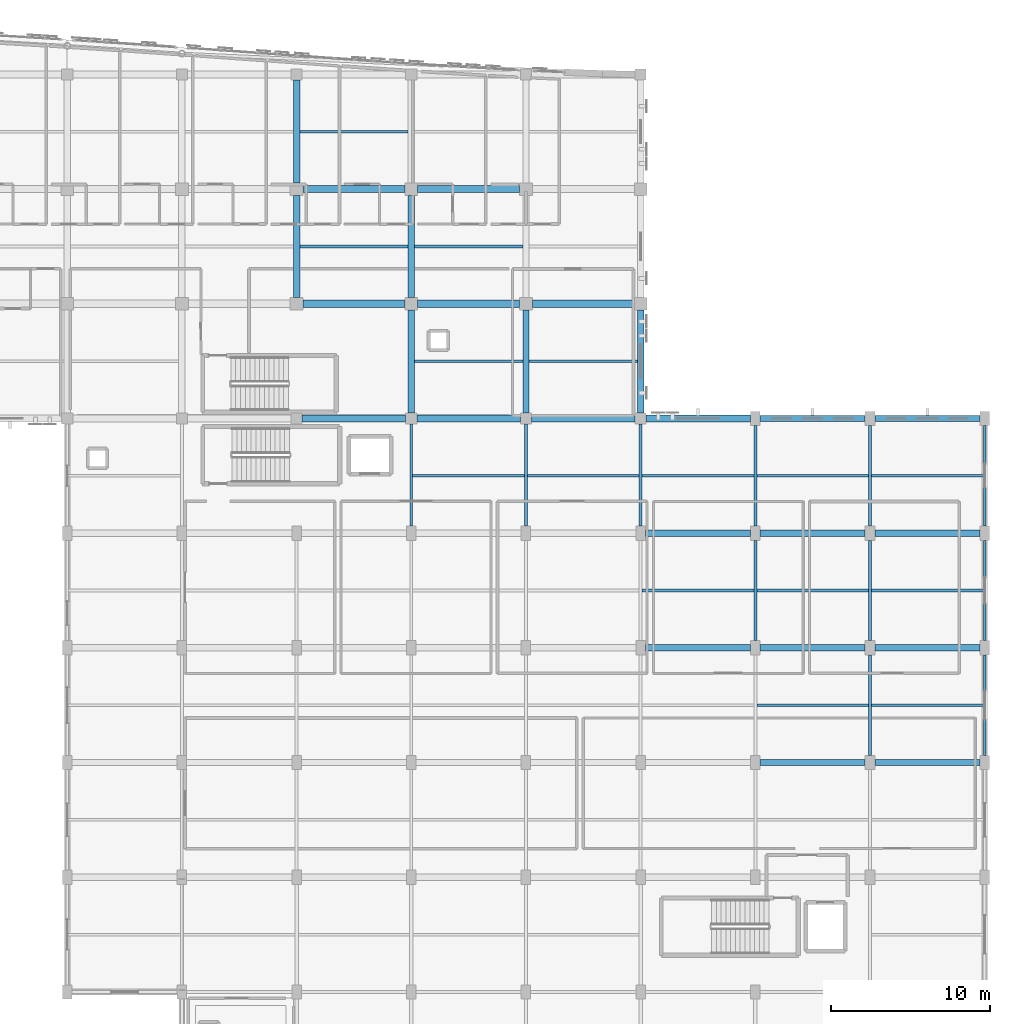
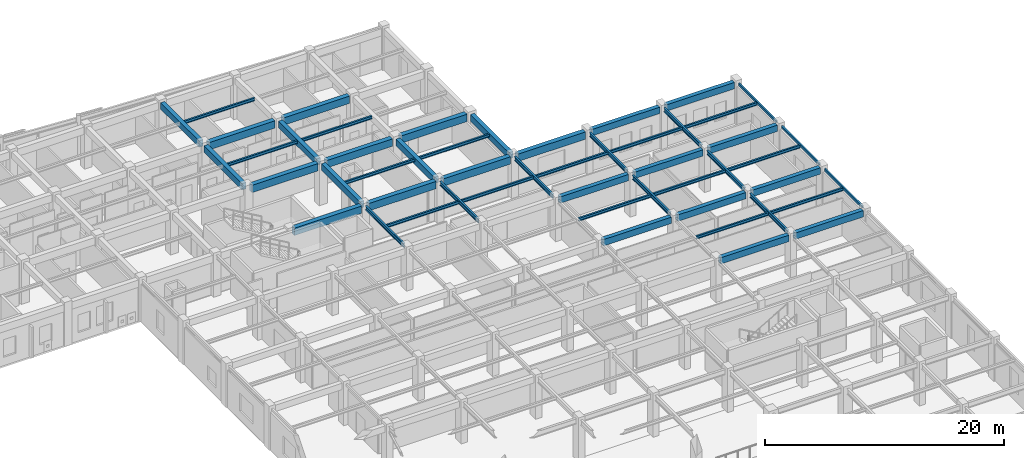
# One storey, part 52 of 106: 51 beams.
"""IFC4 building model written with IfcOpenShell, lengths in metres."""

from ifc_helpers import new_model, si_unit, direction, frame, origin, origin_2d, place, context, subcontext, project, spatial, rectangle, hollow_rectangle, i_section, extrude, material, material_profile, profile_set, type_object, element, save


model = new_model("IFC4")

# Units and contexts
model_context = context("Model", 3, precision=1e-05, world=origin(), true_north=direction((0.0, 1.0)))
body_context = subcontext(model_context, "Body", "Model", "MODEL_VIEW")
ifc_project = project(units=[si_unit("LENGTHUNIT", "METRE"), si_unit("AREAUNIT", "SQUARE_METRE"), si_unit("VOLUMEUNIT", "CUBIC_METRE"), si_unit("PLANEANGLEUNIT", "RADIAN"), si_unit("MASSUNIT", "GRAM", prefix="KILO")], contexts=[model_context])

# Site, building, storey
site_placement = place(None, origin())
site = spatial("IfcSite", under=ifc_project, at=site_placement, CompositionType="ELEMENT")
building_placement = place(site_placement, origin())
building = spatial("IfcBuilding", under=site, at=building_placement, Name="Carrowvane Square Congress Hotel", CompositionType="ELEMENT")
storey_placement = place(building_placement, frame((0.0, 0.0, 10.5)))
storey = spatial("IfcBuildingStorey", under=building, at=storey_placement, Name="L02", CompositionType="ELEMENT", Elevation=10.5)

# Beams
ifc_material_1 = material(Name="Concrete C35/45", Category="concrete")
ifc_material_profile_1 = material_profile(ifc_material_1, rectangle(XDim=0.39990234375, YDim=0.64990234375, at=origin_2d()), Name="RC 400x650")
ifc_profile_set_1 = profile_set([ifc_material_profile_1], Name="Concrete C35/45")
beam_type_1 = type_object("IfcBeamType", Name="BM-RC-400x650", PredefinedType="BEAM", material=ifc_profile_set_1)
beam_1_placement = place(storey_placement, frame((170.300048828125, 70.199951171875, 3.89501953125), z_axis=(1.0, 0.0, 0.0), x_axis=(0.0, 1.0, 0.0)))
element("IfcBeam", 1, at=beam_1_placement, inside=storey, type_object=beam_type_1, Name="L03 girder K/23-24", PredefinedType="BEAM", context=body_context, shape_type="SweptSolid", body=[
    extrude(rectangle(XDim=0.39990234375, YDim=0.64990234375, at=origin_2d()), origin(), (0.0, 0.0, 1.0), 6.599853515625),
])
beam_2_placement = place(storey_placement, frame((177.5, 70.199951171875, 3.89501953125), z_axis=(1.0, 0.0, 0.0), x_axis=(0.0, 1.0, 0.0)))
element("IfcBeam", 2, at=beam_2_placement, inside=storey, type_object=beam_type_1, Name="L03 girder K/24-25", PredefinedType="BEAM", context=body_context, shape_type="SweptSolid", body=[
    extrude(rectangle(XDim=0.39990234375, YDim=0.64990234375, at=origin_2d()), origin(), (0.0, 0.0, 1.0), 6.60009765625),
])
for number, where, z_axis, x_axis, name in (
    (3, (163.10009765625, 77.39990234375, 3.89501953125), (1.0, 0.0, 0.0), (0.0, 1.0, 0.0), "L03 girder L/22-23"),
    (4, (170.300048828125, 77.39990234375, 3.89501953125), (1.0, 0.0, 0.0), (0.0, 1.0, 0.0), "L03 girder L/23-24"),
):
    element("IfcBeam", number, at=place(storey_placement, frame(where, z_axis=z_axis, x_axis=x_axis)), inside=storey, type_object=beam_type_1, Name=name, PredefinedType="BEAM", context=body_context, shape_type="SweptSolid", body=[
        extrude(rectangle(XDim=0.39990234375, YDim=0.64990234375, at=origin_2d()), origin(), (0.0, 0.0, 1.0), 6.599853515625),
    ])
beam_3_placement = place(storey_placement, frame((177.5, 77.39990234375, 3.89501953125), z_axis=(1.0, 0.0, 0.0), x_axis=(0.0, 1.0, 0.0)))
element("IfcBeam", 5, at=beam_3_placement, inside=storey, type_object=beam_type_1, Name="L03 girder L/24-25", PredefinedType="BEAM", context=body_context, shape_type="SweptSolid", body=[
    extrude(rectangle(XDim=0.39990234375, YDim=0.64990234375, at=origin_2d()), origin(), (0.0, 0.0, 1.0), 6.60009765625),
])
for number, where, z_axis, x_axis, name in (
    (6, (163.10009765625, 84.60009765625, 3.89501953125), (1.0, 0.0, 0.0), (0.0, 1.0, 0.0), "L03 girder M/22-23"),
    (7, (170.300048828125, 84.60009765625, 3.89501953125), (1.0, 0.0, 0.0), (0.0, 1.0, 0.0), "L03 girder M/23-24"),
):
    element("IfcBeam", number, at=place(storey_placement, frame(where, z_axis=z_axis, x_axis=x_axis)), inside=storey, type_object=beam_type_1, Name=name, PredefinedType="BEAM", context=body_context, shape_type="SweptSolid", body=[
        extrude(rectangle(XDim=0.39990234375, YDim=0.64990234375, at=origin_2d()), origin(), (0.0, 0.0, 1.0), 6.599853515625),
    ])
beam_4_placement = place(storey_placement, frame((177.5, 84.60009765625, 3.89501953125), z_axis=(1.0, 0.0, 0.0), x_axis=(0.0, 1.0, 0.0)))
element("IfcBeam", 8, at=beam_4_placement, inside=storey, type_object=beam_type_1, Name="L03 girder M/24-25", PredefinedType="BEAM", context=body_context, shape_type="SweptSolid", body=[
    extrude(rectangle(XDim=0.39990234375, YDim=0.64990234375, at=origin_2d()), origin(), (0.0, 0.0, 1.0), 6.60009765625),
])
beam_5_placement = place(storey_placement, frame((170.300048828125, 91.800048828125, 3.89501953125), z_axis=(1.0, 0.0, 0.0), x_axis=(0.0, 1.0, 0.0)))
element("IfcBeam", 9, at=beam_5_placement, inside=storey, type_object=beam_type_1, Name="L03 girder N/23-24", PredefinedType="BEAM", context=body_context, shape_type="SweptSolid", body=[
    extrude(rectangle(XDim=0.39990234375, YDim=0.64990234375, at=origin_2d()), origin(), (0.0, 0.0, 1.0), 6.599853515625),
])
beam_6_placement = place(storey_placement, frame((177.5, 91.800048828125, 3.89501953125), z_axis=(1.0, 0.0, 0.0), x_axis=(0.0, 1.0, 0.0)))
element("IfcBeam", 10, at=beam_6_placement, inside=storey, type_object=beam_type_1, Name="L03 girder N/24-25", PredefinedType="BEAM", context=body_context, shape_type="SweptSolid", body=[
    extrude(rectangle(XDim=0.39990234375, YDim=0.64990234375, at=origin_2d()), origin(), (0.0, 0.0, 1.0), 6.60009765625),
])
beam_7_placement = place(storey_placement, frame((141.199951171875, 99.39990234375, 3.89501953125), z_axis=(0.0, 1.0, 0.0), x_axis=(-1.0, 0.0, 0.0)))
element("IfcBeam", 11, at=beam_7_placement, inside=storey, type_object=beam_type_1, Name="L03 girder 19/P-Q", PredefinedType="BEAM", context=body_context, shape_type="SweptSolid", body=[
    extrude(rectangle(XDim=0.39990234375, YDim=0.64990234375, at=origin_2d()), origin(), (0.0, 0.0, 1.0), 6.400146484375),
])
beam_8_placement = place(storey_placement, frame((141.199951171875, 106.60009765625, 3.89501953125), z_axis=(0.0, 1.0, 0.0), x_axis=(-1.0, 0.0, 0.0)))
element("IfcBeam", 12, at=beam_8_placement, inside=storey, type_object=beam_type_1, Name="L03 girder 19/Q-R", PredefinedType="BEAM", context=body_context, shape_type="SweptSolid", body=[
    extrude(rectangle(XDim=0.39990234375, YDim=0.64990234375, at=origin_2d()), origin(), (0.0, 0.0, 1.0), 6.449951171875),
])
beam_9_placement = place(storey_placement, frame((148.39990234375, 92.14990234375, 3.89501953125), z_axis=(0.0, 1.0, 0.0), x_axis=(-1.0, 0.0, 0.0)))
element("IfcBeam", 13, at=beam_9_placement, inside=storey, type_object=beam_type_1, Name="L03 girder 20/N-P", PredefinedType="BEAM", context=body_context, shape_type="SweptSolid", body=[
    extrude(rectangle(XDim=0.39990234375, YDim=0.64990234375, at=origin_2d()), origin(), (0.0, 0.0, 1.0), 6.4501953125),
])
beam_10_placement = place(storey_placement, frame((148.39990234375, 99.39990234375, 3.89501953125), z_axis=(0.0, 1.0, 0.0), x_axis=(-1.0, 0.0, 0.0)))
element("IfcBeam", 14, at=beam_10_placement, inside=storey, type_object=beam_type_1, Name="L03 girder 20/P-Q", PredefinedType="BEAM", context=body_context, shape_type="SweptSolid", body=[
    extrude(rectangle(XDim=0.39990234375, YDim=0.64990234375, at=origin_2d()), origin(), (0.0, 0.0, 1.0), 6.400146484375),
])
for number, where, z_axis, x_axis, name in (
    (15, (155.60009765625, 92.14990234375, 3.89501953125), (0.0, 1.0, 0.0), (-1.0, 0.0, 0.0), "L03 girder 21/N-P"),
    (16, (162.800048828125, 92.14990234375, 3.89501953125), (0.0, 1.0, 0.0), (-1.0, 0.0, 0.0), "L03 girder 22/N-P"),
):
    element("IfcBeam", number, at=place(storey_placement, frame(where, z_axis=z_axis, x_axis=x_axis)), inside=storey, type_object=beam_type_1, Name=name, PredefinedType="BEAM", context=body_context, shape_type="SweptSolid", body=[
        extrude(rectangle(XDim=0.39990234375, YDim=0.64990234375, at=origin_2d()), origin(), (0.0, 0.0, 1.0), 6.4501953125),
    ])
ifc_material_2 = material(Name="Concrete C35/45", Category="concrete")
ifc_material_profile_2 = material_profile(ifc_material_2, rectangle(XDim=0.449951171875, YDim=0.75, at=origin_2d()), Name="RC 450x750")
ifc_profile_set_2 = profile_set([ifc_material_profile_2], Name="Concrete C35/45")
beam_type_2 = type_object("IfcBeamType", Name="BM-RC-450x750", PredefinedType="USERDEFINED", material=ifc_profile_set_2)
for number, where, z_axis, x_axis, name in (
    (17, (141.550048828125, 91.800048828125, 3.844970703125), (1.0, 0.0, 0.0), (0.0, 1.0, 0.0), "L03 girder N/19-20"),
    (18, (148.75, 91.800048828125, 3.844970703125), (1.0, 0.0, 0.0), (0.0, 1.0, 0.0), "L03 girder N/20-21"),
    (19, (155.949951171875, 91.800048828125, 3.844970703125), (1.0, 0.0, 0.0), (0.0, 1.0, 0.0), "L03 girder N/21-22"),
):
    element("IfcBeam", number, at=place(storey_placement, frame(where, z_axis=z_axis, x_axis=x_axis)), inside=storey, type_object=beam_type_2, Name=name, ObjectType="GIRDER", PredefinedType="USERDEFINED", context=body_context, shape_type="SweptSolid", body=[
        extrude(rectangle(XDim=0.449951171875, YDim=0.75, at=origin_2d()), origin(), (0.0, 0.0, 1.0), 6.5),
    ])
beam_11_placement = place(storey_placement, frame((163.14990234375, 91.800048828125, 3.844970703125), z_axis=(1.0, 0.0, 0.0), x_axis=(0.0, 1.0, 0.0)))
element("IfcBeam", 20, at=beam_11_placement, inside=storey, type_object=beam_type_2, Name="L03 girder N/22-23", ObjectType="GIRDER", PredefinedType="USERDEFINED", context=body_context, shape_type="SweptSolid", body=[
    extrude(rectangle(XDim=0.449951171875, YDim=0.75, at=origin_2d()), origin(), (0.0, 0.0, 1.0), 6.550048828125),
])
for number, where, z_axis, x_axis, name in (
    (21, (141.60009765625, 99.0, 3.844970703125), (1.0, 0.0, 0.0), (0.0, 1.0, 0.0), "L03 girder P/19-20"),
    (22, (148.800048828125, 99.0, 3.844970703125), (1.0, 0.0, 0.0), (0.0, 1.0, 0.0), "L03 girder P/20-21"),
    (23, (156.0, 99.0, 3.844970703125), (1.0, 0.0, 0.0), (0.0, 1.0, 0.0), "L03 girder P/21-22"),
    (24, (141.60009765625, 106.199951171875, 3.844970703125), (1.0, 0.0, 0.0), (0.0, 1.0, 0.0), "L03 girder Q/19-20"),
    (25, (148.800048828125, 106.199951171875, 3.844970703125), (1.0, 0.0, 0.0), (0.0, 1.0, 0.0), "L03 girder Q/20-21"),
):
    element("IfcBeam", number, at=place(storey_placement, frame(where, z_axis=z_axis, x_axis=x_axis)), inside=storey, type_object=beam_type_2, Name=name, ObjectType="GIRDER", PredefinedType="USERDEFINED", context=body_context, shape_type="SweptSolid", body=[
        extrude(rectangle(XDim=0.449951171875, YDim=0.75, at=origin_2d()), origin(), (0.0, 0.0, 1.0), 6.39990234375),
    ])
ifc_material_3 = material(Name="Steel S355", Category="steel")
ifc_material_profile_3 = material_profile(ifc_material_3, hollow_rectangle(XDim=0.14990234375, YDim=0.25, WallThickness=0.012451171875, at=origin_2d()), Name="RHS 250x150x12.5")
ifc_profile_set_3 = profile_set([ifc_material_profile_3], Name="Steel S355")
beam_type_3 = type_object("IfcBeamType", Name="BM-ST-RHS250", PredefinedType="SPANDREL", material=ifc_profile_set_3)
beam_12_placement = place(storey_placement, frame((184.39990234375, 70.64990234375, 4.094970703125), z_axis=(0.0, 1.0, 0.0), x_axis=(-1.0, 0.0, 0.0)))
element("IfcBeam", 26, at=beam_12_placement, inside=storey, type_object=beam_type_3, Name="L03 girder 25/K-L", PredefinedType="SPANDREL", context=body_context, shape_type="SweptSolid", body=[
    extrude(hollow_rectangle(XDim=0.14990234375, YDim=0.25, WallThickness=0.012451171875, at=origin_2d()), origin(), (0.0, 0.0, 1.0), 6.300048828125),
])
beam_13_placement = place(storey_placement, frame((184.39990234375, 77.85009765625, 4.094970703125), z_axis=(0.0, 1.0, 0.0), x_axis=(-1.0, 0.0, 0.0)))
element("IfcBeam", 27, at=beam_13_placement, inside=storey, type_object=beam_type_3, Name="L03 girder 25/L-M", PredefinedType="SPANDREL", context=body_context, shape_type="SweptSolid", body=[
    extrude(hollow_rectangle(XDim=0.14990234375, YDim=0.25, WallThickness=0.012451171875, at=origin_2d()), origin(), (0.0, 0.0, 1.0), 6.2998046875),
])
beam_14_placement = place(storey_placement, frame((184.39990234375, 85.050048828125, 4.094970703125), z_axis=(0.0, 1.0, 0.0), x_axis=(-1.0, 0.0, 0.0)))
element("IfcBeam", 28, at=beam_14_placement, inside=storey, type_object=beam_type_3, Name="L03 girder 25/M-N", PredefinedType="SPANDREL", context=body_context, shape_type="SweptSolid", body=[
    extrude(hollow_rectangle(XDim=0.14990234375, YDim=0.25, WallThickness=0.012451171875, at=origin_2d()), origin(), (0.0, 0.0, 1.0), 6.300048828125),
])
ifc_material_4 = material(Name="Steel S355", Category="steel")
ifc_material_profile_4 = material_profile(ifc_material_4, i_section(OverallWidth=0.165771484375, OverallDepth=0.306640625, WebThickness=0.006591796875, FlangeThickness=0.01171875, FilletRadius=0.0087890625, at=origin_2d()), Name="UKB 305x165x46")
ifc_profile_set_4 = profile_set([ifc_material_profile_4], Name="Steel S355")
beam_type_4 = type_object("IfcBeamType", Name="BM-ST-UKB305", PredefinedType="JOIST", material=ifc_profile_set_4)
for number, where, z_axis, x_axis, name in (
    (29, (141.39990234375, 102.60009765625, 4.066650390625), (1.0, 0.0, 0.0), (0.0, 1.0, 0.0), "L03 secondary joist 19-20"),
    (30, (141.39990234375, 109.800048828125, 4.066650390625), (1.0, 0.0, 0.0), (0.0, 1.0, 0.0), "L03 secondary joist 19-20"),
):
    element("IfcBeam", number, at=place(storey_placement, frame(where, z_axis=z_axis, x_axis=x_axis)), inside=storey, type_object=beam_type_4, Name=name, PredefinedType="JOIST", context=body_context, shape_type="SweptSolid", body=[
        extrude(i_section(OverallWidth=0.165771484375, OverallDepth=0.306640625, WebThickness=0.006591796875, FlangeThickness=0.01171875, FilletRadius=0.0087890625, at=origin_2d()), origin(), (0.0, 0.0, 1.0), 6.800048828125),
    ])
beam_15_placement = place(storey_placement, frame((148.489501953125, 88.199951171875, 4.066650390625), z_axis=(1.0, 0.0, 0.0), x_axis=(0.0, 1.0, 0.0)))
element("IfcBeam", 31, at=beam_15_placement, inside=storey, type_object=beam_type_4, Name="L03 secondary joist 20-21", PredefinedType="JOIST", context=body_context, shape_type="SweptSolid", body=[
    extrude(i_section(OverallWidth=0.165771484375, OverallDepth=0.306640625, WebThickness=0.006591796875, FlangeThickness=0.01171875, FilletRadius=0.0087890625, at=origin_2d()), origin(), (0.0, 0.0, 1.0), 7.02099609375),
])
for number, where, z_axis, x_axis, name in (
    (32, (148.60009765625, 95.39990234375, 4.066650390625), (1.0, 0.0, 0.0), (0.0, 1.0, 0.0), "L03 secondary joist 20-21"),
    (33, (148.60009765625, 102.60009765625, 4.066650390625), (1.0, 0.0, 0.0), (0.0, 1.0, 0.0), "L03 secondary joist 20-21"),
):
    element("IfcBeam", number, at=place(storey_placement, frame(where, z_axis=z_axis, x_axis=x_axis)), inside=storey, type_object=beam_type_4, Name=name, PredefinedType="JOIST", context=body_context, shape_type="SweptSolid", body=[
        extrude(i_section(OverallWidth=0.165771484375, OverallDepth=0.306640625, WebThickness=0.006591796875, FlangeThickness=0.01171875, FilletRadius=0.0087890625, at=origin_2d()), origin(), (0.0, 0.0, 1.0), 6.7998046875),
    ])
beam_16_placement = place(storey_placement, frame((155.689453125, 88.199951171875, 4.066650390625), z_axis=(1.0, 0.0, 0.0), x_axis=(0.0, 1.0, 0.0)))
element("IfcBeam", 34, at=beam_16_placement, inside=storey, type_object=beam_type_4, Name="L03 secondary joist 21-22", PredefinedType="JOIST", context=body_context, shape_type="SweptSolid", body=[
    extrude(i_section(OverallWidth=0.165771484375, OverallDepth=0.306640625, WebThickness=0.006591796875, FlangeThickness=0.01171875, FilletRadius=0.0087890625, at=origin_2d()), origin(), (0.0, 0.0, 1.0), 7.021240234375),
])
beam_17_placement = place(storey_placement, frame((155.800048828125, 95.39990234375, 4.066650390625), z_axis=(1.0, 0.0, 0.0), x_axis=(0.0, 1.0, 0.0)))
element("IfcBeam", 35, at=beam_17_placement, inside=storey, type_object=beam_type_4, Name="L03 secondary joist 21-22", PredefinedType="JOIST", context=body_context, shape_type="SweptSolid", body=[
    extrude(i_section(OverallWidth=0.165771484375, OverallDepth=0.306640625, WebThickness=0.006591796875, FlangeThickness=0.01171875, FilletRadius=0.0087890625, at=origin_2d()), origin(), (0.0, 0.0, 1.0), 6.800048828125),
])
for number, where, z_axis, x_axis, name in (
    (36, (162.889404296875, 81.0, 4.066650390625), (1.0, 0.0, 0.0), (0.0, 1.0, 0.0), "L03 secondary joist 22-23"),
    (37, (162.889404296875, 88.199951171875, 4.066650390625), (1.0, 0.0, 0.0), (0.0, 1.0, 0.0), "L03 secondary joist 22-23"),
    (38, (170.08935546875, 73.800048828125, 4.066650390625), (1.0, 0.0, 0.0), (0.0, 1.0, 0.0), "L03 secondary joist 23-24"),
    (39, (170.08935546875, 81.0, 4.066650390625), (1.0, 0.0, 0.0), (0.0, 1.0, 0.0), "L03 secondary joist 23-24"),
    (40, (170.08935546875, 88.199951171875, 4.066650390625), (1.0, 0.0, 0.0), (0.0, 1.0, 0.0), "L03 secondary joist 23-24"),
):
    element("IfcBeam", number, at=place(storey_placement, frame(where, z_axis=z_axis, x_axis=x_axis)), inside=storey, type_object=beam_type_4, Name=name, PredefinedType="JOIST", context=body_context, shape_type="SweptSolid", body=[
        extrude(i_section(OverallWidth=0.165771484375, OverallDepth=0.306640625, WebThickness=0.006591796875, FlangeThickness=0.01171875, FilletRadius=0.0087890625, at=origin_2d()), origin(), (0.0, 0.0, 1.0), 7.021240234375),
    ])
for number, where, z_axis, x_axis, name in (
    (41, (177.289306640625, 73.800048828125, 4.066650390625), (1.0, 0.0, 0.0), (0.0, 1.0, 0.0), "L03 secondary joist 24-25"),
    (42, (177.289306640625, 81.0, 4.066650390625), (1.0, 0.0, 0.0), (0.0, 1.0, 0.0), "L03 secondary joist 24-25"),
    (43, (177.289306640625, 88.199951171875, 4.066650390625), (1.0, 0.0, 0.0), (0.0, 1.0, 0.0), "L03 secondary joist 24-25"),
):
    element("IfcBeam", number, at=place(storey_placement, frame(where, z_axis=z_axis, x_axis=x_axis)), inside=storey, type_object=beam_type_4, Name=name, PredefinedType="JOIST", context=body_context, shape_type="SweptSolid", body=[
        extrude(i_section(OverallWidth=0.165771484375, OverallDepth=0.306640625, WebThickness=0.006591796875, FlangeThickness=0.01171875, FilletRadius=0.0087890625, at=origin_2d()), origin(), (0.0, 0.0, 1.0), 7.03564453125),
    ])
ifc_material_5 = material(Name="Steel S355", Category="steel")
ifc_material_profile_5 = material_profile(ifc_material_5, i_section(OverallWidth=0.1787109375, OverallDepth=0.409423828125, WebThickness=0.0087890625, FlangeThickness=0.014404296875, FilletRadius=0.01025390625, at=origin_2d()), Name="UKB 406x178x67")
ifc_profile_set_5 = profile_set([ifc_material_profile_5], Name="Steel S355")
beam_type_5 = type_object("IfcBeamType", Name="BM-ST-UKB406", PredefinedType="BEAM", material=ifc_profile_set_5)
for number, where, z_axis, x_axis, name in (
    (44, (148.39990234375, 85.050048828125, 4.015380859375), (0.0, 1.0, 0.0), (-1.0, 0.0, 0.0), "L03 girder 20/M-N"),
    (45, (155.60009765625, 85.050048828125, 4.015380859375), (0.0, 1.0, 0.0), (-1.0, 0.0, 0.0), "L03 girder 21/M-N"),
    (46, (162.800048828125, 85.050048828125, 4.015380859375), (0.0, 1.0, 0.0), (-1.0, 0.0, 0.0), "L03 girder 22/M-N"),
):
    element("IfcBeam", number, at=place(storey_placement, frame(where, z_axis=z_axis, x_axis=x_axis)), inside=storey, type_object=beam_type_5, Name=name, PredefinedType="BEAM", context=body_context, shape_type="SweptSolid", body=[
        extrude(i_section(OverallWidth=0.1787109375, OverallDepth=0.409423828125, WebThickness=0.0087890625, FlangeThickness=0.014404296875, FilletRadius=0.01025390625, at=origin_2d()), origin(), (0.0, 0.0, 1.0), 6.39990234375),
    ])
beam_18_placement = place(storey_placement, frame((170.0, 77.85009765625, 4.015380859375), z_axis=(0.0, 1.0, 0.0), x_axis=(-1.0, 0.0, 0.0)))
element("IfcBeam", 47, at=beam_18_placement, inside=storey, type_object=beam_type_5, Name="L03 girder 23/L-M", PredefinedType="BEAM", context=body_context, shape_type="SweptSolid", body=[
    extrude(i_section(OverallWidth=0.1787109375, OverallDepth=0.409423828125, WebThickness=0.0087890625, FlangeThickness=0.014404296875, FilletRadius=0.01025390625, at=origin_2d()), origin(), (0.0, 0.0, 1.0), 6.2998046875),
])
for number, where, z_axis, x_axis, name in (
    (48, (170.0, 85.050048828125, 4.015380859375), (0.0, 1.0, 0.0), (-1.0, 0.0, 0.0), "L03 girder 23/M-N"),
    (49, (177.199951171875, 70.64990234375, 4.015380859375), (0.0, 1.0, 0.0), (-1.0, 0.0, 0.0), "L03 girder 24/K-L"),
):
    element("IfcBeam", number, at=place(storey_placement, frame(where, z_axis=z_axis, x_axis=x_axis)), inside=storey, type_object=beam_type_5, Name=name, PredefinedType="BEAM", context=body_context, shape_type="SweptSolid", body=[
        extrude(i_section(OverallWidth=0.1787109375, OverallDepth=0.409423828125, WebThickness=0.0087890625, FlangeThickness=0.014404296875, FilletRadius=0.01025390625, at=origin_2d()), origin(), (0.0, 0.0, 1.0), 6.300048828125),
    ])
beam_19_placement = place(storey_placement, frame((177.199951171875, 77.85009765625, 4.015380859375), z_axis=(0.0, 1.0, 0.0), x_axis=(-1.0, 0.0, 0.0)))
element("IfcBeam", 50, at=beam_19_placement, inside=storey, type_object=beam_type_5, Name="L03 girder 24/L-M", PredefinedType="BEAM", context=body_context, shape_type="SweptSolid", body=[
    extrude(i_section(OverallWidth=0.1787109375, OverallDepth=0.409423828125, WebThickness=0.0087890625, FlangeThickness=0.014404296875, FilletRadius=0.01025390625, at=origin_2d()), origin(), (0.0, 0.0, 1.0), 6.2998046875),
])
beam_20_placement = place(storey_placement, frame((177.199951171875, 85.050048828125, 4.015380859375), z_axis=(0.0, 1.0, 0.0), x_axis=(-1.0, 0.0, 0.0)))
element("IfcBeam", 51, at=beam_20_placement, inside=storey, type_object=beam_type_5, Name="L03 girder 24/M-N", PredefinedType="BEAM", context=body_context, shape_type="SweptSolid", body=[
    extrude(i_section(OverallWidth=0.1787109375, OverallDepth=0.409423828125, WebThickness=0.0087890625, FlangeThickness=0.014404296875, FilletRadius=0.01025390625, at=origin_2d()), origin(), (0.0, 0.0, 1.0), 6.300048828125),
])

save(model, "model.ifc")
